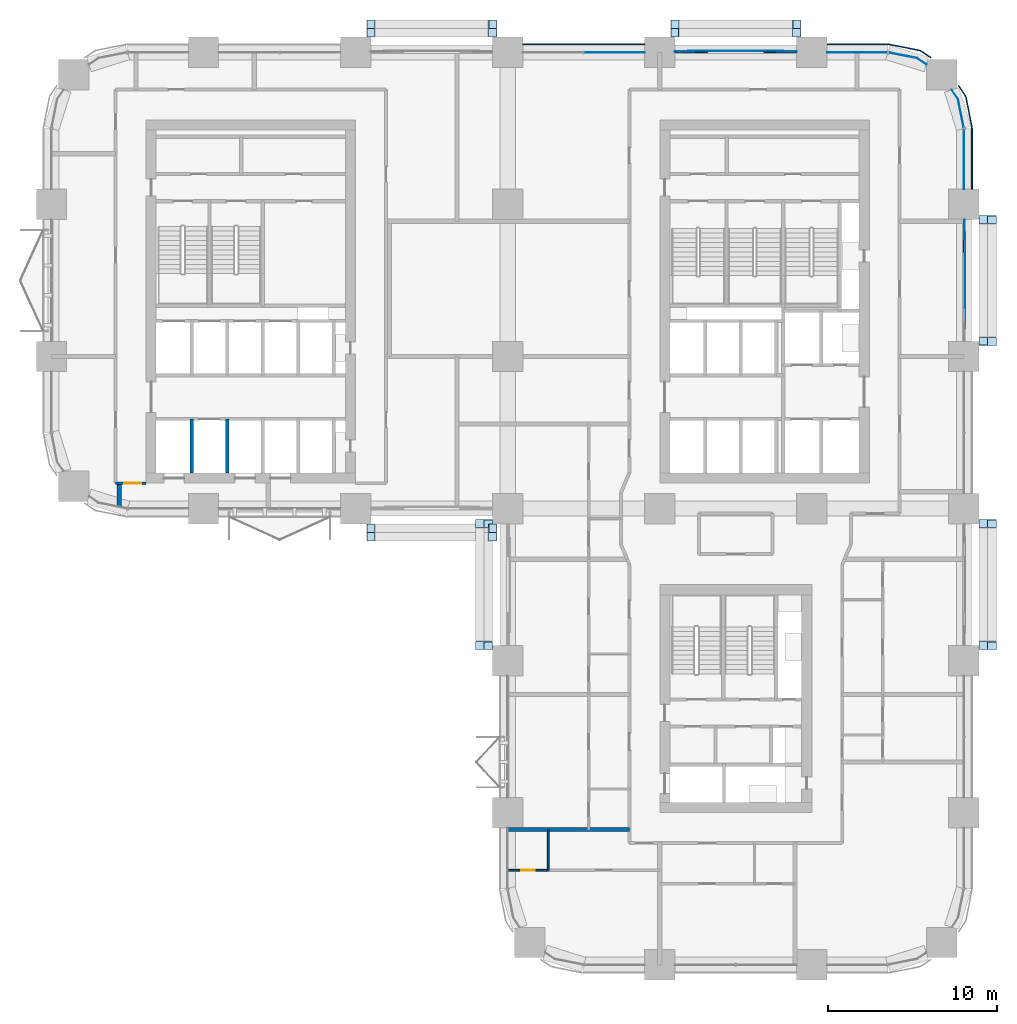
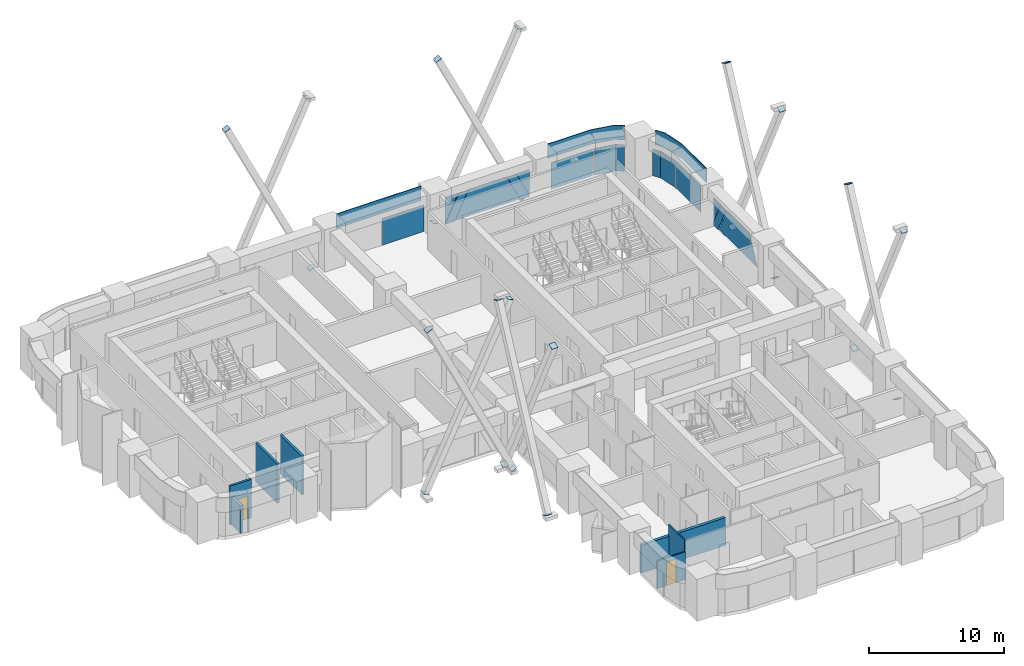
# One storey, part 11 of 19: 40 plates, 7 walls, 2 doors, 2 openings, 5 elements without a shape of their own.
"""IFC4 building model written with IfcOpenShell, lengths in metres."""

from ifc_helpers import new_model, si_unit, direction, frame, frame_2d, origin, origin_2d, place, context, subcontext, project, spatial, polyline, rectangle, outline, extrude, material, layer, layer_set, type_object, element, fill, aggregate, save


model = new_model("IFC4")

# Units and contexts
model_context = context("Model", 3, precision=1e-05, world=origin(), true_north=direction((0.0, 1.0)))
body_context = subcontext(model_context, "Body", "Model", "MODEL_VIEW")
ifc_project = project(units=[si_unit("LENGTHUNIT", "METRE"), si_unit("AREAUNIT", "SQUARE_METRE"), si_unit("VOLUMEUNIT", "CUBIC_METRE"), si_unit("PLANEANGLEUNIT", "RADIAN"), si_unit("MASSUNIT", "GRAM", prefix="KILO")], contexts=[model_context])

# Site, building, storey
site_placement = place(None, origin())
site = spatial("IfcSite", under=ifc_project, at=site_placement, CompositionType="ELEMENT")
building_placement = place(site_placement, origin())
building = spatial("IfcBuilding", under=site, at=building_placement, Name="Tessera Arch", CompositionType="ELEMENT")
storey_placement = place(building_placement, frame((0.0, 0.0, 108.199951171875)))
storey = spatial("IfcBuildingStorey", under=building, at=storey_placement, Name="L25", CompositionType="ELEMENT", Elevation=108.199951171875)

# Curtain wall, plates
ifc_material_1 = material(Name="CW1 curtain wall")
curtain_wall_type_1 = type_object("IfcCurtainWallType", Name="CW1 curtain wall", PredefinedType="NOTDEFINED", material=ifc_material_1)
curtain_wall_1_placement = place(storey_placement, origin())
curtain_wall_1 = element("IfcCurtainWall", 1, at=curtain_wall_1_placement, inside=storey, type_object=curtain_wall_type_1, Name="CW1 curtain wall N54.0/1 L25", PredefinedType="NOTDEFINED")
ifc_material_2 = material(Name="Clear low-e glass", Category="glass")
ifc_material_3 = material(Name="Clear low-e glass", Category="glass")
ifc_layer_1 = layer(ifc_material_3, 0.028076171875)
ifc_layer_set_1 = layer_set([ifc_layer_1], Name="CW1 glass panel")
plate_type_1 = type_object("IfcPlateType", Name="CW1 glass panel", PredefinedType="CURTAIN_PANEL", material=ifc_layer_set_1)
plate_1_placement = place(storey_placement, frame((33.31494140625, 54.0, 0.0), z_axis=(0.0, 0.0, 1.0), x_axis=(-1.0, 0.0, 0.0)))
plate_1 = element("IfcPlate", 2, at=plate_1_placement, type_object=plate_type_1, material=ifc_material_2, Name="CW1 glass panel N54.0/1 1.1.1", PredefinedType="CURTAIN_PANEL", context=body_context, shape_type="SweptSolid", body=[
    extrude(rectangle(XDim=3.570068359375, YDim=0.028076171875, at=origin_2d()), origin(), (0.0, 0.0, 1.0), 2.39990234375),
])
ifc_material_4 = material(Name="Pale anodised aluminium panel", Category="aluminium")
ifc_layer_2 = layer(ifc_material_4, 0.06005859375)
ifc_layer_set_2 = layer_set([ifc_layer_2], Name="CW1 spandrel panel")
plate_type_2 = type_object("IfcPlateType", Name="CW1 spandrel panel", PredefinedType="CURTAIN_PANEL", material=ifc_layer_set_2)
plate_2_placement = place(storey_placement, frame((31.5, 54.47998046875, 2.5), z_axis=(0.0, 0.0, 1.0), x_axis=(-1.0, 0.0, 0.0)))
plate_2 = element("IfcPlate", 3, at=plate_2_placement, type_object=plate_type_2, Name="CW1 spandrel panel N54.0/1", PredefinedType="CURTAIN_PANEL", context=body_context, shape_type="SweptSolid", body=[
    extrude(rectangle(XDim=7.199951171875, YDim=0.06005859375, at=origin_2d()), origin(), (0.0, 0.0, 1.0), 1.300048828125),
])
aggregate(curtain_wall_1, [plate_1, plate_2])

ifc_material_5 = material(Name="CW2 curtain wall")
curtain_wall_type_2 = type_object("IfcCurtainWallType", Name="CW2 curtain wall", PredefinedType="NOTDEFINED", material=ifc_material_5)
curtain_wall_2_placement = place(storey_placement, origin())
curtain_wall_2 = element("IfcCurtainWall", 4, at=curtain_wall_2_placement, inside=storey, type_object=curtain_wall_type_2, Name="CW2 curtain wall E54.0/5 L25", PredefinedType="NOTDEFINED")
ifc_material_6 = material(Name="Clear low-e glass", Category="glass")
ifc_layer_3 = layer(ifc_material_6, 0.028076171875)
ifc_layer_set_3 = layer_set([ifc_layer_3], Name="CW2 glass panel")
plate_type_3 = type_object("IfcPlateType", Name="CW2 glass panel", PredefinedType="CURTAIN_PANEL", material=ifc_layer_set_3)
plate_3_placement = place(storey_placement, frame((54.0, 47.679931640625, 0.0), z_axis=(0.0, 0.0, 1.0), x_axis=(0.0, 1.0, 0.0)))
plate_3 = element("IfcPlate", 5, at=plate_3_placement, type_object=plate_type_3, material=ifc_material_2, Name="CW2 glass panel E54.0/5 1.1", PredefinedType="CURTAIN_PANEL", context=body_context, shape_type="SweptSolid", body=[
    extrude(rectangle(XDim=3.56005859375, YDim=0.028076171875, at=origin_2d()), origin(), (0.0, 0.0, 1.0), 2.39990234375),
])
plate_4_placement = place(storey_placement, origin())
plate_4 = element("IfcPlate", 6, at=plate_4_placement, type_object=plate_type_3, material=ifc_material_2, Name="CW2 curved glass panel E54.0/5 2.1", PredefinedType="CURTAIN_PANEL", context=body_context, shape_type="SweptSolid", body=[
    extrude(outline(polyline([(53.644287109375, 51.216552734375), (53.978515625, 49.53662109375), (54.005859375, 49.5419921875), (53.670654296875, 51.2275390625), (53.294921875, 51.789794921875), (53.271728515625, 51.774169921875), (53.644287109375, 51.216552734375)])), origin(), (0.0, 0.0, 1.0), 2.400146484375),
])

curtain_wall_3_placement = place(storey_placement, origin())
curtain_wall_3 = element("IfcCurtainWall", 7, at=curtain_wall_3_placement, inside=storey, type_object=curtain_wall_type_2, Name="CW2 curtain wall N54.0/5 L25", PredefinedType="NOTDEFINED")
plate_5_placement = place(storey_placement, frame((47.679931640625, 54.0, 0.0), z_axis=(0.0, 0.0, 1.0), x_axis=(-1.0, 0.0, 0.0)))
plate_5 = element("IfcPlate", 8, at=plate_5_placement, type_object=plate_type_3, material=ifc_material_2, Name="CW2 glass panel N54.0/5 1.1", PredefinedType="CURTAIN_PANEL", context=body_context, shape_type="SweptSolid", body=[
    extrude(rectangle(XDim=3.56005859375, YDim=0.028076171875, at=origin_2d()), origin(), (0.0, 0.0, 1.0), 2.39990234375),
])
plate_6_placement = place(storey_placement, origin())
plate_6 = element("IfcPlate", 9, at=plate_6_placement, type_object=plate_type_3, material=ifc_material_2, Name="CW2 curved glass panel N54.0/5 2.1", PredefinedType="CURTAIN_PANEL", context=body_context, shape_type="SweptSolid", body=[
    extrude(outline(polyline([(51.216552734375, 53.644287109375), (51.774169921875, 53.271728515625), (51.789794921875, 53.294921875), (51.2275390625, 53.670654296875), (49.5419921875, 54.005859375), (49.53662109375, 53.978515625), (51.216552734375, 53.644287109375)])), origin(), (0.0, 0.0, 1.0), 2.400146484375),
])

# Plate
ifc_material_7 = material(Name="Pale anodised aluminium panel", Category="aluminium")
ifc_layer_4 = layer(ifc_material_7, 0.06005859375)
ifc_layer_set_4 = layer_set([ifc_layer_4], Name="CW2 spandrel panel")
plate_type_4 = type_object("IfcPlateType", Name="CW2 spandrel panel", PredefinedType="CURTAIN_PANEL", material=ifc_layer_set_4)
plate_7_placement = place(storey_placement, frame((0.0, 0.0, 2.5)))
plate_7 = element("IfcPlate", 10, at=plate_7_placement, type_object=plate_type_4, Name="CW2 spandrel panel E54.0/5", PredefinedType="CURTAIN_PANEL", context=body_context, shape_type="SweptSolid", body=[
    extrude(outline(polyline([(54.449951171875, 49.499267578125), (54.449951171875, 45.89990234375), (54.510009765625, 45.89990234375), (54.510009765625, 49.500732421875), (54.507568359375, 49.550048828125), (54.500244140625, 49.598876953125), (54.157470703125, 51.322265625), (54.1455078125, 51.3701171875), (54.128662109375, 51.417236328125), (54.107177734375, 51.462646484375), (54.08203125, 51.5048828125), (53.707275390625, 52.0654296875), (53.657470703125, 52.031982421875), (54.03125, 51.47265625), (54.05419921875, 51.434326171875), (54.0732421875, 51.394287109375), (54.088134765625, 51.352783203125), (54.09912109375, 51.30908203125), (54.441162109375, 49.588623046875), (54.44775390625, 49.544189453125), (54.449951171875, 49.499267578125)])), origin(), (0.0, 0.0, 1.0), 1.300048828125),
])

aggregate(curtain_wall_2, [plate_3, plate_4, plate_7])

plate_8_placement = place(storey_placement, frame((0.0, 0.0, 2.5)))
plate_8 = element("IfcPlate", 11, at=plate_8_placement, type_object=plate_type_4, Name="CW2 spandrel panel N54.0/5", PredefinedType="CURTAIN_PANEL", context=body_context, shape_type="SweptSolid", body=[
    extrude(outline(polyline([(51.47265625, 54.03125), (52.031982421875, 53.657470703125), (52.0654296875, 53.707275390625), (51.5048828125, 54.08203125), (51.462646484375, 54.107177734375), (51.417236328125, 54.128662109375), (51.3701171875, 54.1455078125), (51.322265625, 54.157470703125), (49.598876953125, 54.500244140625), (49.550048828125, 54.507568359375), (49.500732421875, 54.510009765625), (45.89990234375, 54.510009765625), (45.89990234375, 54.449951171875), (49.499267578125, 54.449951171875), (49.544189453125, 54.44775390625), (49.588623046875, 54.441162109375), (51.30908203125, 54.09912109375), (51.352783203125, 54.088134765625), (51.394287109375, 54.0732421875), (51.434326171875, 54.05419921875), (51.47265625, 54.03125)])), origin(), (0.0, 0.0, 1.0), 1.300048828125),
])

aggregate(curtain_wall_3, [plate_5, plate_6, plate_8])

# Curtain wall, plates
ifc_material_8 = material(Name="CW3 curtain wall")
curtain_wall_type_3 = type_object("IfcCurtainWallType", Name="CW3 curtain wall", PredefinedType="NOTDEFINED", material=ifc_material_8)
curtain_wall_4_placement = place(storey_placement, origin())
curtain_wall_4 = element("IfcCurtainWall", 12, at=curtain_wall_4_placement, inside=storey, type_object=curtain_wall_type_3, Name="CW3 curtain wall N54.0/0 L25", PredefinedType="NOTDEFINED")
ifc_material_9 = material(Name="Pale anodised aluminium panel", Category="aluminium")
ifc_layer_5 = layer(ifc_material_9, 0.06005859375)
ifc_layer_set_5 = layer_set([ifc_layer_5], Name="CW3 diagonal panel")
plate_type_5 = type_object("IfcPlateType", Name="CW3 diagonal panel", PredefinedType="CURTAIN_PANEL", material=ifc_layer_set_5)
plate_9_placement = place(storey_placement, frame((36.89990234375, 54.030029296875, 0.0), z_axis=(0.0, 1.0, 0.0), x_axis=(0.0, 0.0, 1.0)))
plate_9 = element("IfcPlate", 13, at=plate_9_placement, type_object=plate_type_5, Name="CW3 diagonal panel N54.0/0 1", PredefinedType="CURTAIN_PANEL", context=body_context, shape_type="SweptSolid", body=[
    extrude(outline(polyline([(0.0, 0.0), (0.033447265625, 0.0), (2.400146484375, 1.135986328125), (2.400146484375, 1.936279296875), (0.0, 0.7841796875), (0.0, 0.0)])), origin(), (0.0, 0.0, -1.0), 0.06005859375),
])
plate_10_placement = place(storey_placement, frame((42.163818359375, 54.030029296875, 2.400146484375), z_axis=(0.0, 1.0, 0.0), x_axis=(1.0, 0.0, 0.0)))
plate_10 = element("IfcPlate", 14, at=plate_10_placement, type_object=plate_type_5, Name="CW3 diagonal panel N54.0/0 2", PredefinedType="CURTAIN_PANEL", context=body_context, shape_type="SweptSolid", body=[
    extrude(outline(polyline([(0.0, 0.0), (0.80029296875, 0.0), (1.936279296875, 2.36669921875), (1.936279296875, 2.400146484375), (1.152099609375, 2.400146484375), (0.0, 0.0)])), origin(), (0.0, 0.0, -1.0), 0.06005859375),
])

# Curtain wall, plate
curtain_wall_5_placement = place(storey_placement, origin())
curtain_wall_5 = element("IfcCurtainWall", 15, at=curtain_wall_5_placement, inside=storey, type_object=curtain_wall_type_3, Name="CW3 curtain wall E54.0/4 L25", PredefinedType="NOTDEFINED")
plate_11_placement = place(storey_placement, frame((54.030029296875, 44.10009765625, 0.0), z_axis=(1.0, 0.0, 0.0), x_axis=(0.0, 0.0, 1.0)))
plate_11 = element("IfcPlate", 16, at=plate_11_placement, type_object=plate_type_5, Name="CW3 diagonal panel E54.0/4 1", PredefinedType="CURTAIN_PANEL", context=body_context, shape_type="SweptSolid", body=[
    extrude(outline(polyline([(0.0, 0.0), (0.033447265625, 0.0), (2.400146484375, 1.135986328125), (2.400146484375, 1.936279296875), (0.0, 0.7841796875), (0.0, 0.0)])), origin(), (0.0, 0.0, -1.0), 0.06005859375),
])

# Plate
ifc_material_10 = material(Name="Clear low-e glass", Category="glass")
ifc_layer_6 = layer(ifc_material_10, 0.028076171875)
ifc_layer_set_6 = layer_set([ifc_layer_6], Name="CW3 glass panel")
plate_type_6 = type_object("IfcPlateType", Name="CW3 glass panel", PredefinedType="CURTAIN_PANEL", material=ifc_layer_set_6)
plate_12_placement = place(storey_placement, frame((44.10009765625, 54.05810546875, 2.400146484375), z_axis=(0.0, 1.0, 0.0), x_axis=(0.0, 0.0, -1.0)))
plate_12 = element("IfcPlate", 17, at=plate_12_placement, type_object=plate_type_6, material=ifc_material_2, Name="CW3 triangulated glass panel N54.0/0 1", PredefinedType="CURTAIN_PANEL", context=body_context, shape_type="SweptSolid", body=[
    extrude(outline(polyline([(0.0, 0.0), (2.36669921875, 0.0), (0.0, 1.135986328125), (0.0, 0.0)])), origin(), (0.0, 0.0, -1.0), 0.028076171875),
])

plate_13_placement = place(storey_placement, frame((38.836181640625, 54.0859375, 2.400146484375), z_axis=(0.0, 1.0, 0.0), x_axis=(1.0, 0.0, 0.0)))
plate_13 = element("IfcPlate", 18, at=plate_13_placement, type_object=plate_type_6, material=ifc_material_2, Name="CW3 triangulated glass panel N54.0/0 2", PredefinedType="CURTAIN_PANEL", context=body_context, shape_type="SweptSolid", body=[
    extrude(outline(polyline([(0.0, 0.0), (3.32763671875, 0.0), (4.479736328125, 2.400146484375), (-1.152099609375, 2.400146484375), (0.0, 0.0)])), origin(), (0.0, 0.0, -1.0), 0.028076171875),
])

plate_14_placement = place(storey_placement, frame((36.89990234375, 54.05810546875, 2.400146484375), z_axis=(0.0, 1.0, 0.0), x_axis=(1.0, 0.0, 0.0)))
plate_14 = element("IfcPlate", 19, at=plate_14_placement, type_object=plate_type_6, material=ifc_material_2, Name="CW3 triangulated glass panel N54.0/0 3", PredefinedType="CURTAIN_PANEL", context=body_context, shape_type="SweptSolid", body=[
    extrude(outline(polyline([(0.0, 0.0), (1.135986328125, 0.0), (0.0, 2.36669921875), (0.0, 0.0)])), origin(), (0.0, 0.0, -1.0), 0.028076171875),
])

aggregate(curtain_wall_4, [plate_12, plate_13, plate_14, plate_9, plate_10])

plate_15_placement = place(storey_placement, frame((54.0859375, 42.163818359375, 2.400146484375), z_axis=(1.0, 0.0, 0.0), x_axis=(0.0, -1.0, 0.0)))
plate_15 = element("IfcPlate", 20, at=plate_15_placement, type_object=plate_type_6, material=ifc_material_2, Name="CW3 triangulated glass panel E54.0/4 2", PredefinedType="CURTAIN_PANEL", context=body_context, shape_type="SweptSolid", body=[
    extrude(outline(polyline([(0.0, 0.0), (3.32763671875, 0.0), (4.479736328125, 2.400146484375), (-1.152099609375, 2.400146484375), (0.0, 0.0)])), origin(), (0.0, 0.0, -1.0), 0.028076171875),
])

plate_16_placement = place(storey_placement, frame((54.05810546875, 44.10009765625, 2.400146484375), z_axis=(1.0, 0.0, 0.0), x_axis=(0.0, -1.0, 0.0)))
plate_16 = element("IfcPlate", 21, at=plate_16_placement, type_object=plate_type_6, material=ifc_material_2, Name="CW3 triangulated glass panel E54.0/4 3", PredefinedType="CURTAIN_PANEL", context=body_context, shape_type="SweptSolid", body=[
    extrude(outline(polyline([(0.0, 0.0), (1.135986328125, 0.0), (0.0, 2.36669921875), (0.0, 0.0)])), origin(), (0.0, 0.0, -1.0), 0.028076171875),
])

aggregate(curtain_wall_5, [plate_15, plate_16, plate_11])

# Plates
ifc_material_11 = material(Name="Steel A572 Gr50", Category="steel")
ifc_layer_7 = layer(ifc_material_11, 0.02490234375)
ifc_layer_set_7 = layer_set([ifc_layer_7], Name="End plate HSS20x20x5/8")
plate_type_7 = type_object("IfcPlateType", Name="End plate HSS20x20x5/8", PredefinedType="SHEET", material=ifc_layer_set_7)
plate_17_placement = place(storey_placement, frame((44.11083984375, 55.154052734375, -0.822509765625), z_axis=(-0.431455497304, 0.0, 0.902134221636), x_axis=(0.0, -1.0, 0.0)))
element("IfcPlate", 22, at=plate_17_placement, inside=storey, type_object=plate_type_7, Name="End plate HSS20x20x5/8 N54.0-0 A1 L25", PredefinedType="SHEET", context=body_context, shape_type="SweptSolid", body=[
    extrude(rectangle(XDim=0.508056640625, YDim=0.508056640625, at=origin_2d()), origin(), (0.0, 0.0, 1.0), 0.02490234375),
])
plate_18_placement = place(storey_placement, frame((36.89990234375, 55.154052734375, 14.199951171875), z_axis=(-0.427668482188, 0.0, 0.903935655533), x_axis=(0.0, -1.0, 0.0)))
element("IfcPlate", 23, at=plate_18_placement, inside=storey, type_object=plate_type_7, Name="End plate HSS20x20x5/8 N54.0-0 A2 L25", PredefinedType="SHEET", context=body_context, shape_type="SweptSolid", body=[
    extrude(rectangle(XDim=0.508056640625, YDim=0.508056640625, at=origin_2d()), origin(), (0.0, 0.0, 1.0), 0.025146484375),
])
plate_19_placement = place(storey_placement, frame((36.88916015625, 55.662109375, -0.822509765625), z_axis=(0.431455497304, 0.0, 0.902134221636), x_axis=(0.0, 1.0, 0.0)))
element("IfcPlate", 24, at=plate_19_placement, inside=storey, type_object=plate_type_7, Name="End plate HSS20x20x5/8 N54.0-0 B1 L25", PredefinedType="SHEET", context=body_context, shape_type="SweptSolid", body=[
    extrude(rectangle(XDim=0.508056640625, YDim=0.508056640625, at=origin_2d()), origin(), (0.0, 0.0, 1.0), 0.02490234375),
])
plate_20_placement = place(storey_placement, frame((44.10009765625, 55.662109375, 14.199951171875), z_axis=(0.427668482188, 0.0, 0.903935655533), x_axis=(0.0, 1.0, 0.0)))
element("IfcPlate", 25, at=plate_20_placement, inside=storey, type_object=plate_type_7, Name="End plate HSS20x20x5/8 N54.0-0 B2 L25", PredefinedType="SHEET", context=body_context, shape_type="SweptSolid", body=[
    extrude(rectangle(XDim=0.508056640625, YDim=0.508056640625, at=origin_2d()), origin(), (0.0, 0.0, 1.0), 0.025146484375),
])
plate_21_placement = place(storey_placement, frame((26.11083984375, 55.154052734375, -0.822509765625), z_axis=(-0.431455497304, 0.0, 0.902134221636), x_axis=(0.0, -1.0, 0.0)))
element("IfcPlate", 26, at=plate_21_placement, inside=storey, type_object=plate_type_7, Name="End plate HSS20x20x5/8 N54.0-2 A1 L25", PredefinedType="SHEET", context=body_context, shape_type="SweptSolid", body=[
    extrude(rectangle(XDim=0.508056640625, YDim=0.508056640625, at=origin_2d()), origin(), (0.0, 0.0, 1.0), 0.02490234375),
])
plate_22_placement = place(storey_placement, frame((18.89990234375, 55.154052734375, 14.199951171875), z_axis=(-0.427668482188, 0.0, 0.903935655533), x_axis=(0.0, -1.0, 0.0)))
element("IfcPlate", 27, at=plate_22_placement, inside=storey, type_object=plate_type_7, Name="End plate HSS20x20x5/8 N54.0-2 A2 L25", PredefinedType="SHEET", context=body_context, shape_type="SweptSolid", body=[
    extrude(rectangle(XDim=0.508056640625, YDim=0.508056640625, at=origin_2d()), origin(), (0.0, 0.0, 1.0), 0.025146484375),
])
plate_23_placement = place(storey_placement, frame((18.88916015625, 55.662109375, -0.822509765625), z_axis=(0.431455497304, 0.0, 0.902134221636), x_axis=(0.0, 1.0, 0.0)))
element("IfcPlate", 28, at=plate_23_placement, inside=storey, type_object=plate_type_7, Name="End plate HSS20x20x5/8 N54.0-2 B1 L25", PredefinedType="SHEET", context=body_context, shape_type="SweptSolid", body=[
    extrude(rectangle(XDim=0.508056640625, YDim=0.508056640625, at=origin_2d()), origin(), (0.0, 0.0, 1.0), 0.02490234375),
])
plate_24_placement = place(storey_placement, frame((26.10009765625, 55.662109375, 14.199951171875), z_axis=(0.427668482188, 0.0, 0.903935655533), x_axis=(0.0, 1.0, 0.0)))
element("IfcPlate", 29, at=plate_24_placement, inside=storey, type_object=plate_type_7, Name="End plate HSS20x20x5/8 N54.0-2 B2 L25", PredefinedType="SHEET", context=body_context, shape_type="SweptSolid", body=[
    extrude(rectangle(XDim=0.508056640625, YDim=0.508056640625, at=origin_2d()), origin(), (0.0, 0.0, 1.0), 0.025146484375),
])
plate_25_placement = place(storey_placement, frame((18.88916015625, 25.845947265625, -0.822509765625), z_axis=(0.431455497304, 0.0, 0.902134221636), x_axis=(0.0, 1.0, 0.0)))
element("IfcPlate", 30, at=plate_25_placement, inside=storey, type_object=plate_type_7, Name="End plate HSS20x20x5/8 S27.0-2 A1 L25", PredefinedType="SHEET", context=body_context, shape_type="SweptSolid", body=[
    extrude(rectangle(XDim=0.508056640625, YDim=0.508056640625, at=origin_2d()), origin(), (0.0, 0.0, 1.0), 0.02490234375),
])
plate_26_placement = place(storey_placement, frame((26.10009765625, 25.845947265625, 14.199951171875), z_axis=(0.427668482188, 0.0, 0.903935655533), x_axis=(0.0, 1.0, 0.0)))
element("IfcPlate", 31, at=plate_26_placement, inside=storey, type_object=plate_type_7, Name="End plate HSS20x20x5/8 S27.0-2 A2 L25", PredefinedType="SHEET", context=body_context, shape_type="SweptSolid", body=[
    extrude(rectangle(XDim=0.508056640625, YDim=0.508056640625, at=origin_2d()), origin(), (0.0, 0.0, 1.0), 0.025146484375),
])
plate_27_placement = place(storey_placement, frame((26.11083984375, 25.337890625, -0.822509765625), z_axis=(-0.431455497304, 0.0, 0.902134221636), x_axis=(0.0, -1.0, 0.0)))
element("IfcPlate", 32, at=plate_27_placement, inside=storey, type_object=plate_type_7, Name="End plate HSS20x20x5/8 S27.0-2 B1 L25", PredefinedType="SHEET", context=body_context, shape_type="SweptSolid", body=[
    extrude(rectangle(XDim=0.508056640625, YDim=0.508056640625, at=origin_2d()), origin(), (0.0, 0.0, 1.0), 0.02490234375),
])
plate_28_placement = place(storey_placement, frame((18.89990234375, 25.337890625, 14.199951171875), z_axis=(-0.427668482188, 0.0, 0.903935655533), x_axis=(0.0, -1.0, 0.0)))
element("IfcPlate", 33, at=plate_28_placement, inside=storey, type_object=plate_type_7, Name="End plate HSS20x20x5/8 S27.0-2 B2 L25", PredefinedType="SHEET", context=body_context, shape_type="SweptSolid", body=[
    extrude(rectangle(XDim=0.508056640625, YDim=0.508056640625, at=origin_2d()), origin(), (0.0, 0.0, 1.0), 0.025146484375),
])
plate_29_placement = place(storey_placement, frame((25.845947265625, 26.11083984375, -0.822509765625), z_axis=(0.0, -0.431455497304, 0.902134221636), x_axis=(1.0, 0.0, 0.0)))
element("IfcPlate", 34, at=plate_29_placement, inside=storey, type_object=plate_type_7, Name="End plate HSS20x20x5/8 W27.0-0 A1 L25", PredefinedType="SHEET", context=body_context, shape_type="SweptSolid", body=[
    extrude(rectangle(XDim=0.508056640625, YDim=0.508056640625, at=origin_2d()), origin(), (0.0, 0.0, 1.0), 0.02490234375),
])
plate_30_placement = place(storey_placement, frame((25.845947265625, 18.89990234375, 14.199951171875), z_axis=(0.0, -0.427668482188, 0.903935655533), x_axis=(1.0, 0.0, 0.0)))
element("IfcPlate", 35, at=plate_30_placement, inside=storey, type_object=plate_type_7, Name="End plate HSS20x20x5/8 W27.0-0 A2 L25", PredefinedType="SHEET", context=body_context, shape_type="SweptSolid", body=[
    extrude(rectangle(XDim=0.508056640625, YDim=0.508056640625, at=origin_2d()), origin(), (0.0, 0.0, 1.0), 0.025146484375),
])
plate_31_placement = place(storey_placement, frame((25.337890625, 18.88916015625, -0.822509765625), z_axis=(0.0, 0.431455497304, 0.902134221636), x_axis=(-1.0, 0.0, 0.0)))
element("IfcPlate", 36, at=plate_31_placement, inside=storey, type_object=plate_type_7, Name="End plate HSS20x20x5/8 W27.0-0 B1 L25", PredefinedType="SHEET", context=body_context, shape_type="SweptSolid", body=[
    extrude(rectangle(XDim=0.508056640625, YDim=0.508056640625, at=origin_2d()), origin(), (0.0, 0.0, 1.0), 0.02490234375),
])
plate_32_placement = place(storey_placement, frame((25.337890625, 26.10009765625, 14.199951171875), z_axis=(0.0, 0.427668482188, 0.903935655533), x_axis=(-1.0, 0.0, 0.0)))
element("IfcPlate", 37, at=plate_32_placement, inside=storey, type_object=plate_type_7, Name="End plate HSS20x20x5/8 W27.0-0 B2 L25", PredefinedType="SHEET", context=body_context, shape_type="SweptSolid", body=[
    extrude(rectangle(XDim=0.508056640625, YDim=0.508056640625, at=origin_2d()), origin(), (0.0, 0.0, 1.0), 0.025146484375),
])
plate_33_placement = place(storey_placement, frame((55.154052734375, 18.88916015625, -0.822509765625), z_axis=(0.0, 0.431455497304, 0.902134221636), x_axis=(-1.0, 0.0, 0.0)))
element("IfcPlate", 38, at=plate_33_placement, inside=storey, type_object=plate_type_7, Name="End plate HSS20x20x5/8 E54.0-2 A1 L25", PredefinedType="SHEET", context=body_context, shape_type="SweptSolid", body=[
    extrude(rectangle(XDim=0.508056640625, YDim=0.508056640625, at=origin_2d()), origin(), (0.0, 0.0, 1.0), 0.02490234375),
])
plate_34_placement = place(storey_placement, frame((55.154052734375, 26.10009765625, 14.199951171875), z_axis=(0.0, 0.427668482188, 0.903935655533), x_axis=(-1.0, 0.0, 0.0)))
element("IfcPlate", 39, at=plate_34_placement, inside=storey, type_object=plate_type_7, Name="End plate HSS20x20x5/8 E54.0-2 A2 L25", PredefinedType="SHEET", context=body_context, shape_type="SweptSolid", body=[
    extrude(rectangle(XDim=0.508056640625, YDim=0.508056640625, at=origin_2d()), origin(), (0.0, 0.0, 1.0), 0.025146484375),
])
plate_35_placement = place(storey_placement, frame((55.662109375, 26.11083984375, -0.822509765625), z_axis=(0.0, -0.431455497304, 0.902134221636), x_axis=(1.0, 0.0, 0.0)))
element("IfcPlate", 40, at=plate_35_placement, inside=storey, type_object=plate_type_7, Name="End plate HSS20x20x5/8 E54.0-2 B1 L25", PredefinedType="SHEET", context=body_context, shape_type="SweptSolid", body=[
    extrude(rectangle(XDim=0.508056640625, YDim=0.508056640625, at=origin_2d()), origin(), (0.0, 0.0, 1.0), 0.02490234375),
])
plate_36_placement = place(storey_placement, frame((55.662109375, 18.89990234375, 14.199951171875), z_axis=(0.0, -0.427668482188, 0.903935655533), x_axis=(1.0, 0.0, 0.0)))
element("IfcPlate", 41, at=plate_36_placement, inside=storey, type_object=plate_type_7, Name="End plate HSS20x20x5/8 E54.0-2 B2 L25", PredefinedType="SHEET", context=body_context, shape_type="SweptSolid", body=[
    extrude(rectangle(XDim=0.508056640625, YDim=0.508056640625, at=origin_2d()), origin(), (0.0, 0.0, 1.0), 0.025146484375),
])
plate_37_placement = place(storey_placement, frame((55.154052734375, 36.88916015625, -0.822509765625), z_axis=(0.0, 0.431455497304, 0.902134221636), x_axis=(-1.0, 0.0, 0.0)))
element("IfcPlate", 42, at=plate_37_placement, inside=storey, type_object=plate_type_7, Name="End plate HSS20x20x5/8 E54.0-4 A1 L25", PredefinedType="SHEET", context=body_context, shape_type="SweptSolid", body=[
    extrude(rectangle(XDim=0.508056640625, YDim=0.508056640625, at=origin_2d()), origin(), (0.0, 0.0, 1.0), 0.02490234375),
])
plate_38_placement = place(storey_placement, frame((55.154052734375, 44.10009765625, 14.199951171875), z_axis=(0.0, 0.427668482188, 0.903935655533), x_axis=(-1.0, 0.0, 0.0)))
element("IfcPlate", 43, at=plate_38_placement, inside=storey, type_object=plate_type_7, Name="End plate HSS20x20x5/8 E54.0-4 A2 L25", PredefinedType="SHEET", context=body_context, shape_type="SweptSolid", body=[
    extrude(rectangle(XDim=0.508056640625, YDim=0.508056640625, at=origin_2d()), origin(), (0.0, 0.0, 1.0), 0.025146484375),
])
plate_39_placement = place(storey_placement, frame((55.662109375, 44.11083984375, -0.822509765625), z_axis=(0.0, -0.431455497304, 0.902134221636), x_axis=(1.0, 0.0, 0.0)))
element("IfcPlate", 44, at=plate_39_placement, inside=storey, type_object=plate_type_7, Name="End plate HSS20x20x5/8 E54.0-4 B1 L25", PredefinedType="SHEET", context=body_context, shape_type="SweptSolid", body=[
    extrude(rectangle(XDim=0.508056640625, YDim=0.508056640625, at=origin_2d()), origin(), (0.0, 0.0, 1.0), 0.02490234375),
])
plate_40_placement = place(storey_placement, frame((55.662109375, 36.89990234375, 14.199951171875), z_axis=(0.0, -0.427668482188, 0.903935655533), x_axis=(1.0, 0.0, 0.0)))
element("IfcPlate", 45, at=plate_40_placement, inside=storey, type_object=plate_type_7, Name="End plate HSS20x20x5/8 E54.0-4 B2 L25", PredefinedType="SHEET", context=body_context, shape_type="SweptSolid", body=[
    extrude(rectangle(XDim=0.508056640625, YDim=0.508056640625, at=origin_2d()), origin(), (0.0, 0.0, 1.0), 0.025146484375),
])

# Wall, opening, door
ifc_material_12 = material(Name="Gypsum board on deep steel stud with mineral wool", Category="steel")
ifc_layer_8 = layer(ifc_material_12, 0.175048828125)
ifc_layer_set_8 = layer_set([ifc_layer_8], Name="Corridor wall 175 EI 60")
wall_type_1 = type_object("IfcWallType", Name="Corridor wall 175 EI 60", PredefinedType="PARTITIONING", material=ifc_layer_set_8)
wall_1_placement = place(storey_placement, frame((3.800048828125, 28.5, 0.0), z_axis=(0.0, 0.0, 1.0), x_axis=(1.0, 0.0, 0.0)))
wall_1 = element("IfcWall", 46, at=wall_1_placement, inside=storey, type_object=wall_type_1, Name="L25 partition 5", PredefinedType="PARTITIONING", context=body_context, shape_type="SweptSolid", body=[
    extrude(rectangle(XDim=1.800048828125, YDim=0.175048828125, at=frame_2d((0.89990234375, 0.0))), origin(), (0.0, 0.0, 1.0), 3.5),
])
opening_1_placement = place(wall_1_placement, frame((0.50732421875, 0.0, 0.0)))
opening_1 = element("IfcOpeningElement", 47, at=opening_1_placement, cuts=wall_1, Name="Opening L25-D022", PredefinedType="OPENING", context=body_context, shape_type="SweptSolid", body=[
    extrude(rectangle(XDim=1.0, YDim=2.10009765625, at=frame_2d((0.5, 1.050048828125))), frame((0.0, 0.097412109375, 0.0), z_axis=(0.0, -1.0, 0.0), x_axis=(1.0, 0.0, 0.0)), (0.0, 0.0, 1.0), 0.195068359375),
])
ifc_material_13 = material(Name="Fire-rated door leaf")
door_type_1 = type_object("IfcDoorType", Name="Entrance door FD30S 1000 x 2100", OperationType="SINGLE_SWING_LEFT", PredefinedType="DOOR", material=ifc_material_13)
door_1_placement = place(opening_1_placement, origin())
door_1 = element("IfcDoor", 48, at=door_1_placement, inside=storey, type_object=door_type_1, Name="L25 door D022 type D03", OperationType="SINGLE_SWING_LEFT", OverallHeight=2.10009765625, OverallWidth=1.0, PredefinedType="DOOR", context=body_context, shape_type="SweptSolid", body=[
    extrude(rectangle(XDim=1.0, YDim=2.10009765625, at=frame_2d((0.5, 1.050048828125))), frame((0.0, 0.02490234375, 0.0), z_axis=(0.0, -1.0, 0.0), x_axis=(1.0, 0.0, 0.0)), (0.0, 0.0, 1.0), 0.050048828125),
])
fill(opening_1, door_1)

# Walls
ifc_material_14 = material(Name="Double gypsum board on twin steel stud with acoustic mineral wool", Category="steel")
ifc_layer_9 = layer(ifc_material_14, 0.25)
ifc_layer_set_9 = layer_set([ifc_layer_9], Name="Party wall 250 EI 60")
wall_type_2 = type_object("IfcWallType", Name="Party wall 250 EI 60", PredefinedType="PARTITIONING", material=ifc_layer_set_9)
wall_2_placement = place(storey_placement, frame((27.0, 8.0, 0.0), z_axis=(0.0, 0.0, 1.0), x_axis=(1.0, 0.0, 0.0)))
element("IfcWall", 49, at=wall_2_placement, inside=storey, type_object=wall_type_2, Name="L25 partition 26", PredefinedType="PARTITIONING", context=body_context, shape_type="SweptSolid", body=[
    extrude(rectangle(XDim=7.199951171875, YDim=0.25, at=frame_2d((3.60009765625, 0.0))), origin(), (0.0, 0.0, 1.0), 2.5),
])
wall_3_placement = place(storey_placement, frame((4.014892578125, 27.096435546875, 0.0), z_axis=(0.0, 0.0, 1.0), x_axis=(0.0, 1.0, 0.0)))
element("IfcWall", 50, at=wall_3_placement, inside=storey, type_object=wall_type_2, Name="L25 partition 40", PredefinedType="PARTITIONING", context=body_context, shape_type="SweptSolid", body=[
    extrude(rectangle(XDim=1.403564453125, YDim=0.25, at=frame_2d((0.70166015625, 0.0))), origin(), (0.0, 0.0, 1.0), 2.5),
])
ifc_material_15 = material(Name="Concrete C40/50", Category="concrete")
ifc_layer_10 = layer(ifc_material_15, 0.199951171875)
ifc_layer_set_10 = layer_set([ifc_layer_10], Name="Shaft wall 200 EI 120")
wall_type_3 = type_object("IfcWallType", Name="Shaft wall 200 EI 120", PredefinedType="SOLIDWALL", material=ifc_layer_set_10)
for number, where, z_axis, x_axis, name in (
    (51, (8.300048828125, 29.10009765625, 0.0), (0.0, 0.0, 1.0), (0.0, 1.0, 0.0), "L25 C2 shaft wall 1"),
    (52, (10.39990234375, 29.10009765625, 0.0), (0.0, 0.0, 1.0), (0.0, 1.0, 0.0), "L25 C2 shaft wall 5"),
):
    element("IfcWall", number, at=place(storey_placement, frame(where, z_axis=z_axis, x_axis=x_axis)), inside=storey, type_object=wall_type_3, Name=name, PredefinedType="SOLIDWALL", context=body_context, shape_type="SweptSolid", body=[
        extrude(rectangle(XDim=3.199951171875, YDim=0.199951171875, at=frame_2d((1.60009765625, 0.0))), origin(), (0.0, 0.0, 1.0), 3.5),
    ])

# Wall, opening, door
ifc_material_16 = material(Name="Moisture-resistant board on pre-plumbed steel stud", Category="steel")
ifc_layer_11 = layer(ifc_material_16, 0.10009765625)
ifc_layer_set_11 = layer_set([ifc_layer_11], Name="Wet wall 100")
wall_type_4 = type_object("IfcWallType", Name="Wet wall 100", PredefinedType="PARTITIONING", material=ifc_layer_set_11)
wall_4_placement = place(storey_placement, frame((27.0, 5.60009765625, 0.0), z_axis=(0.0, 0.0, 1.0), x_axis=(1.0, 0.0, 0.0)))
wall_4 = element("IfcWall", 53, at=wall_4_placement, inside=storey, type_object=wall_type_4, Name="L25 partition 52", PredefinedType="PARTITIONING", context=body_context, shape_type="SweptSolid", body=[
    extrude(rectangle(XDim=2.39990234375, YDim=0.10009765625, at=frame_2d((1.199951171875, 0.0))), origin(), (0.0, 0.0, 1.0), 2.5),
])
opening_2_placement = place(wall_4_placement, frame((0.800048828125, 0.0, 0.0)))
opening_2 = element("IfcOpeningElement", 54, at=opening_2_placement, cuts=wall_4, Name="Opening L25-D006", PredefinedType="OPENING", context=body_context, shape_type="SweptSolid", body=[
    extrude(rectangle(XDim=0.800048828125, YDim=2.10009765625, at=frame_2d((0.39990234375, 1.050048828125))), frame((0.0, 0.06005859375, 0.0), z_axis=(0.0, -1.0, 0.0), x_axis=(1.0, 0.0, 0.0)), (0.0, 0.0, 1.0), 0.1201171875),
])
ifc_material_17 = material(Name="Timber door leaf", Category="wood")
door_type_2 = type_object("IfcDoorType", Name="En-suite door 800 x 2100", OperationType="SINGLE_SWING_LEFT", PredefinedType="DOOR", material=ifc_material_17)
door_2_placement = place(opening_2_placement, origin())
door_2 = element("IfcDoor", 55, at=door_2_placement, inside=storey, type_object=door_type_2, Name="L25 door D006 type D02", OperationType="SINGLE_SWING_LEFT", OverallHeight=2.10009765625, OverallWidth=0.800048828125, PredefinedType="DOOR", context=body_context, shape_type="SweptSolid", body=[
    extrude(rectangle(XDim=0.800048828125, YDim=2.10009765625, at=frame_2d((0.39990234375, 1.050048828125))), frame((0.0, 0.02490234375, 0.0), z_axis=(0.0, -1.0, 0.0), x_axis=(1.0, 0.0, 0.0)), (0.0, 0.0, 1.0), 0.050048828125),
])
fill(opening_2, door_2)

# Wall
wall_5_placement = place(storey_placement, frame((29.39990234375, 5.60009765625, 0.0), z_axis=(0.0, 0.0, 1.0), x_axis=(0.0, 1.0, 0.0)))
element("IfcWall", 56, at=wall_5_placement, inside=storey, type_object=wall_type_4, Name="L25 partition 58", PredefinedType="PARTITIONING", context=body_context, shape_type="SweptSolid", body=[
    extrude(rectangle(XDim=2.39990234375, YDim=0.10009765625, at=frame_2d((1.199951171875, 0.0))), origin(), (0.0, 0.0, 1.0), 3.5),
])

save(model, "model.ifc")
